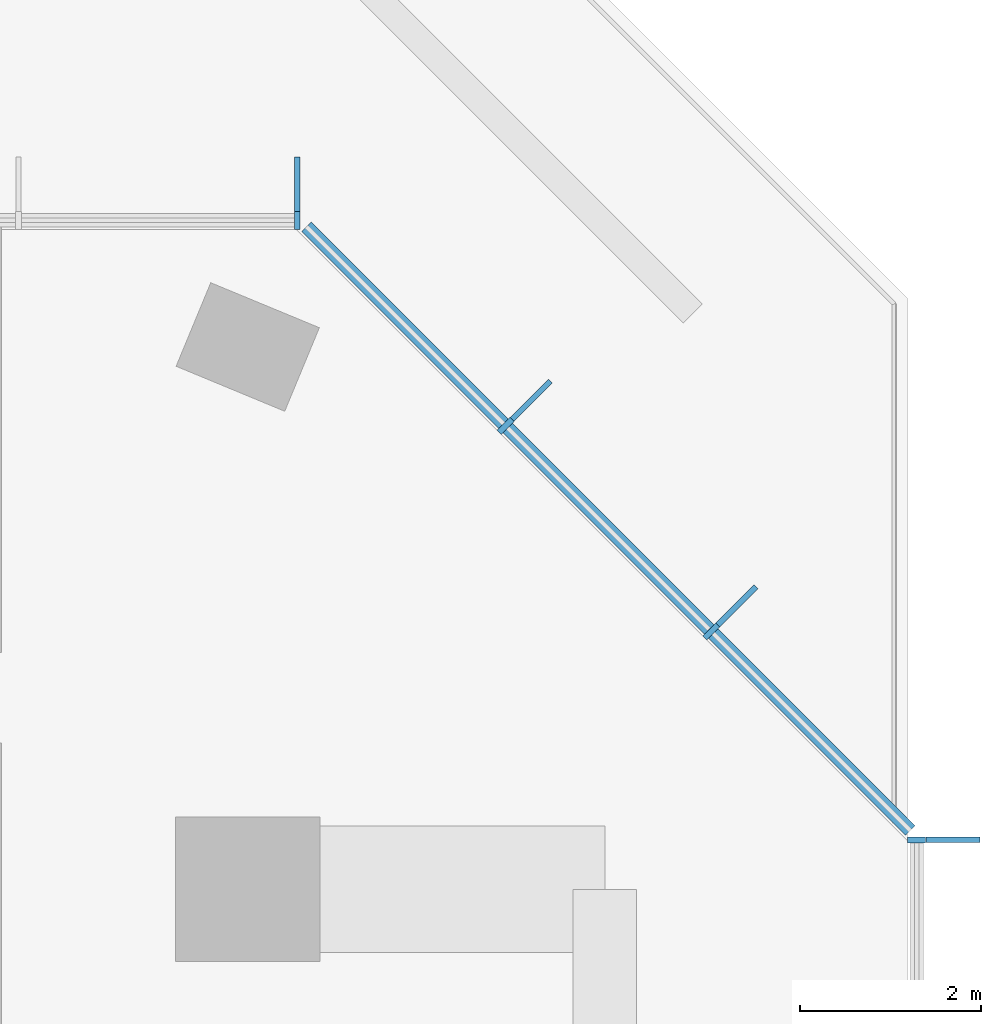
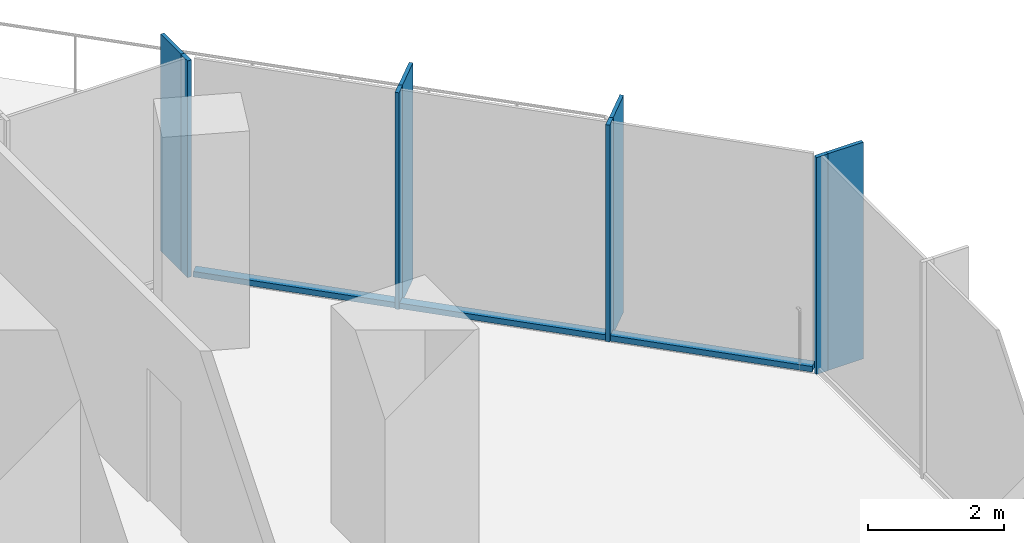
# One storey, part 6 of 11: 11 members, 3 elements without a shape of their own.
"""IFC4 building model written with IfcOpenShell, lengths in metres."""

from ifc_helpers import new_model, si_unit, direction, frame, origin, origin_2d, place, context, subcontext, project, spatial, rectangle, extrude, material, layer, layer_set, material_profile, profile_set, type_object, element, aggregate, save


model = new_model("IFC4")

# Units and contexts
model_context = context("Model", 3, precision=1e-05, world=origin(), true_north=direction((0.0, 1.0)))
body_context = subcontext(model_context, "Body", "Model", "MODEL_VIEW")
ifc_project = project(units=[si_unit("LENGTHUNIT", "METRE"), si_unit("AREAUNIT", "SQUARE_METRE"), si_unit("VOLUMEUNIT", "CUBIC_METRE"), si_unit("PLANEANGLEUNIT", "RADIAN"), si_unit("MASSUNIT", "GRAM", prefix="KILO")], contexts=[model_context])

# Site, building, storey
site_placement = place(None, origin())
site = spatial("IfcSite", under=ifc_project, at=site_placement, CompositionType="ELEMENT")
building_placement = place(site_placement, origin())
building = spatial("IfcBuilding", under=site, at=building_placement, Name="Highveld Stack Headquarters", CompositionType="ELEMENT")
storey_placement = place(building_placement, frame((0.0, 0.0, 268.39990234375)))
storey = spatial("IfcBuildingStorey", under=building, at=storey_placement, Name="L66", CompositionType="ELEMENT", Elevation=268.39990234375)

# Curtain wall, member
ifc_material_1 = material(Name="Aluminium bronze anodised", Category="aluminium")
ifc_layer = layer(ifc_material_1, 0.199951171875)
ifc_layer_set = layer_set([ifc_layer], Name="Aluminium bronze anodised")
curtain_wall_type = type_object("IfcCurtainWallType", Name="CW5 EXECUTIVE UNITISED CURTAIN WALL", PredefinedType="NOTDEFINED", material=ifc_layer_set)
curtain_wall_1_placement = place(storey_placement, origin())
curtain_wall_1 = element("IfcCurtainWall", 1, at=curtain_wall_1_placement, inside=storey, type_object=curtain_wall_type, Name="Curtain wall CW5 L66 E", PredefinedType="NOTDEFINED")
ifc_material_2 = material(Name="Aluminium bronze anodised", Category="aluminium")
ifc_material_profile_1 = material_profile(ifc_material_2, rectangle(XDim=0.60009765625, YDim=0.06005859375, at=origin_2d()), Name="FIN 600x60")
ifc_profile_set_1 = profile_set([ifc_material_profile_1], Name="Aluminium bronze anodised")
member_type_1 = type_object("IfcMemberType", Name="CW5 BRONZE FIN 600x60", PredefinedType="USERDEFINED", material=ifc_profile_set_1)
member_1_placement = place(storey_placement, frame((31.800048828125, 12.54736328125, 0.0), z_axis=(0.0, 0.0, 1.0), x_axis=(-1.0, 0.0, 0.0)))
member_1 = element("IfcMember", 2, at=member_1_placement, type_object=member_type_1, Name="CW5 fin L66 9", ObjectType="FIN", PredefinedType="USERDEFINED", context=body_context, shape_type="SweptSolid", body=[
    extrude(rectangle(XDim=0.60009765625, YDim=0.06005859375, at=origin_2d()), origin(), (0.0, 0.0, 1.0), 3.900146484375),
])

# Curtain wall, members
curtain_wall_2_placement = place(storey_placement, origin())
curtain_wall_2 = element("IfcCurtainWall", 3, at=curtain_wall_2_placement, inside=storey, type_object=curtain_wall_type, Name="Curtain wall CW5 L66 NE", PredefinedType="NOTDEFINED")
member_2_placement = place(storey_placement, frame((29.409423828125, 15.135986328125, 0.0), z_axis=(0.0, 0.0, 1.0), x_axis=(-0.707106781187, -0.707106781187, 0.0)))
member_2 = element("IfcMember", 4, at=member_2_placement, type_object=member_type_1, Name="CW5 fin L66 1", ObjectType="FIN", PredefinedType="USERDEFINED", context=body_context, shape_type="SweptSolid", body=[
    extrude(rectangle(XDim=0.60009765625, YDim=0.06005859375, at=origin_2d()), origin(), (0.0, 0.0, 1.0), 3.900146484375),
])
member_3_placement = place(storey_placement, frame((27.135986328125, 17.409423828125, 0.0), z_axis=(0.0, 0.0, 1.0), x_axis=(-0.707106781187, -0.707106781187, 0.0)))
member_3 = element("IfcMember", 5, at=member_3_placement, type_object=member_type_1, Name="CW5 fin L66 2", ObjectType="FIN", PredefinedType="USERDEFINED", context=body_context, shape_type="SweptSolid", body=[
    extrude(rectangle(XDim=0.60009765625, YDim=0.06005859375, at=origin_2d()), origin(), (0.0, 0.0, 1.0), 3.900146484375),
])

# Curtain wall, member
curtain_wall_3_placement = place(storey_placement, origin())
curtain_wall_3 = element("IfcCurtainWall", 6, at=curtain_wall_3_placement, inside=storey, type_object=curtain_wall_type, Name="Curtain wall CW5 L66 N-1", PredefinedType="NOTDEFINED")
member_4_placement = place(storey_placement, frame((24.54736328125, 19.800048828125, 0.0), z_axis=(0.0, 0.0, 1.0), x_axis=(0.0, -1.0, 0.0)))
member_4 = element("IfcMember", 7, at=member_4_placement, type_object=member_type_1, Name="CW5 fin L66 1", ObjectType="FIN", PredefinedType="USERDEFINED", context=body_context, shape_type="SweptSolid", body=[
    extrude(rectangle(XDim=0.60009765625, YDim=0.06005859375, at=origin_2d()), origin(), (0.0, 0.0, 1.0), 3.900146484375),
])

# Member
ifc_material_3 = material(Name="Aluminium bronze anodised", Category="aluminium")
ifc_material_profile_2 = material_profile(ifc_material_3, rectangle(XDim=0.199951171875, YDim=0.06494140625, at=origin_2d()), Name="CW5 MULLION 65x200")
ifc_profile_set_2 = profile_set([ifc_material_profile_2], Name="Aluminium bronze anodised")
member_type_2 = type_object("IfcMemberType", Name="CW5 MULLION 65x200", PredefinedType="MULLION", material=ifc_profile_set_2)
member_5_placement = place(storey_placement, frame((31.39990234375, 12.54736328125, 0.0), z_axis=(0.0, 0.0, 1.0), x_axis=(-1.0, 0.0, 0.0)))
member_5 = element("IfcMember", 8, at=member_5_placement, type_object=member_type_2, Name="CW5 mullion L66 9", PredefinedType="MULLION", context=body_context, shape_type="SweptSolid", body=[
    extrude(rectangle(XDim=0.199951171875, YDim=0.06494140625, at=origin_2d()), origin(), (0.0, 0.0, 1.0), 3.900146484375),
])

aggregate(curtain_wall_1, [member_5, member_1])

member_6_placement = place(storey_placement, frame((29.126708984375, 14.853271484375, 0.0), z_axis=(0.0, 0.0, 1.0), x_axis=(-0.707106781187, -0.707106781187, 0.0)))
member_6 = element("IfcMember", 9, at=member_6_placement, type_object=member_type_2, Name="CW5 mullion L66 1", PredefinedType="MULLION", context=body_context, shape_type="SweptSolid", body=[
    extrude(rectangle(XDim=0.199951171875, YDim=0.06494140625, at=origin_2d()), origin(), (0.0, 0.0, 1.0), 3.900146484375),
])

member_7_placement = place(storey_placement, frame((26.853271484375, 17.126708984375, 0.0), z_axis=(0.0, 0.0, 1.0), x_axis=(-0.707106781187, -0.707106781187, 0.0)))
member_7 = element("IfcMember", 10, at=member_7_placement, type_object=member_type_2, Name="CW5 mullion L66 2", PredefinedType="MULLION", context=body_context, shape_type="SweptSolid", body=[
    extrude(rectangle(XDim=0.199951171875, YDim=0.06494140625, at=origin_2d()), origin(), (0.0, 0.0, 1.0), 3.900146484375),
])

member_8_placement = place(storey_placement, frame((24.54736328125, 19.39990234375, 0.0), z_axis=(0.0, 0.0, 1.0), x_axis=(0.0, -1.0, 0.0)))
member_8 = element("IfcMember", 11, at=member_8_placement, type_object=member_type_2, Name="CW5 mullion L66 1", PredefinedType="MULLION", context=body_context, shape_type="SweptSolid", body=[
    extrude(rectangle(XDim=0.199951171875, YDim=0.06494140625, at=origin_2d()), origin(), (0.0, 0.0, 1.0), 3.900146484375),
])

aggregate(curtain_wall_3, [member_8, member_4])

ifc_material_4 = material(Name="Aluminium bronze anodised", Category="aluminium")
ifc_material_profile_3 = material_profile(ifc_material_4, rectangle(XDim=0.14990234375, YDim=0.10009765625, at=origin_2d()), Name="CW5 TRANSOM 150x100")
ifc_profile_set_3 = profile_set([ifc_material_profile_3], Name="Aluminium bronze anodised")
member_type_3 = type_object("IfcMemberType", Name="CW5 STACK TRANSOM 150x100", PredefinedType="USERDEFINED", material=ifc_profile_set_3)
member_9_placement = place(storey_placement, frame((31.329345703125, 12.650634765625, 0.050048828125), z_axis=(-0.707106781187, 0.707106781187, 0.0), x_axis=(-0.707106781187, -0.707106781187, 0.0)))
member_9 = element("IfcMember", 12, at=member_9_placement, type_object=member_type_3, Name="CW5 transom L66 1.1", ObjectType="TRANSOM", PredefinedType="USERDEFINED", context=body_context, shape_type="SweptSolid", body=[
    extrude(rectangle(XDim=0.14990234375, YDim=0.10009765625, at=origin_2d()), origin(), (0.0, 0.0, 1.0), 3.08251953125),
])

member_10_placement = place(storey_placement, frame((29.103759765625, 14.876220703125, 0.050048828125), z_axis=(-0.707106781187, 0.707106781187, 0.0), x_axis=(-0.707106781187, -0.707106781187, 0.0)))
member_10 = element("IfcMember", 13, at=member_10_placement, type_object=member_type_3, Name="CW5 transom L66 2.1", ObjectType="TRANSOM", PredefinedType="USERDEFINED", context=body_context, shape_type="SweptSolid", body=[
    extrude(rectangle(XDim=0.14990234375, YDim=0.10009765625, at=origin_2d()), origin(), (0.0, 0.0, 1.0), 3.150146484375),
])

member_11_placement = place(storey_placement, frame((26.830322265625, 17.149658203125, 0.050048828125), z_axis=(-0.707106781187, 0.707106781187, 0.0), x_axis=(-0.707106781187, -0.707106781187, 0.0)))
member_11 = element("IfcMember", 14, at=member_11_placement, type_object=member_type_3, Name="CW5 transom L66 3.1", ObjectType="TRANSOM", PredefinedType="USERDEFINED", context=body_context, shape_type="SweptSolid", body=[
    extrude(rectangle(XDim=0.14990234375, YDim=0.10009765625, at=origin_2d()), origin(), (0.0, 0.0, 1.0), 3.08251953125),
])

aggregate(curtain_wall_2, [member_6, member_2, member_7, member_3, member_9, member_10, member_11])

save(model, "model.ifc")
